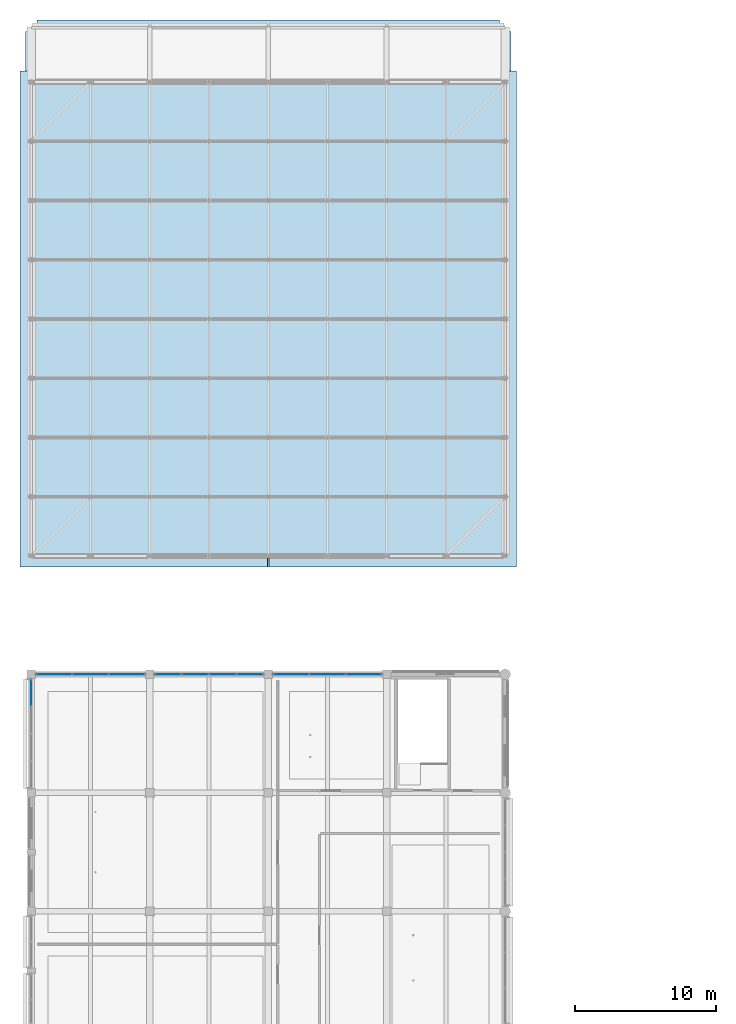
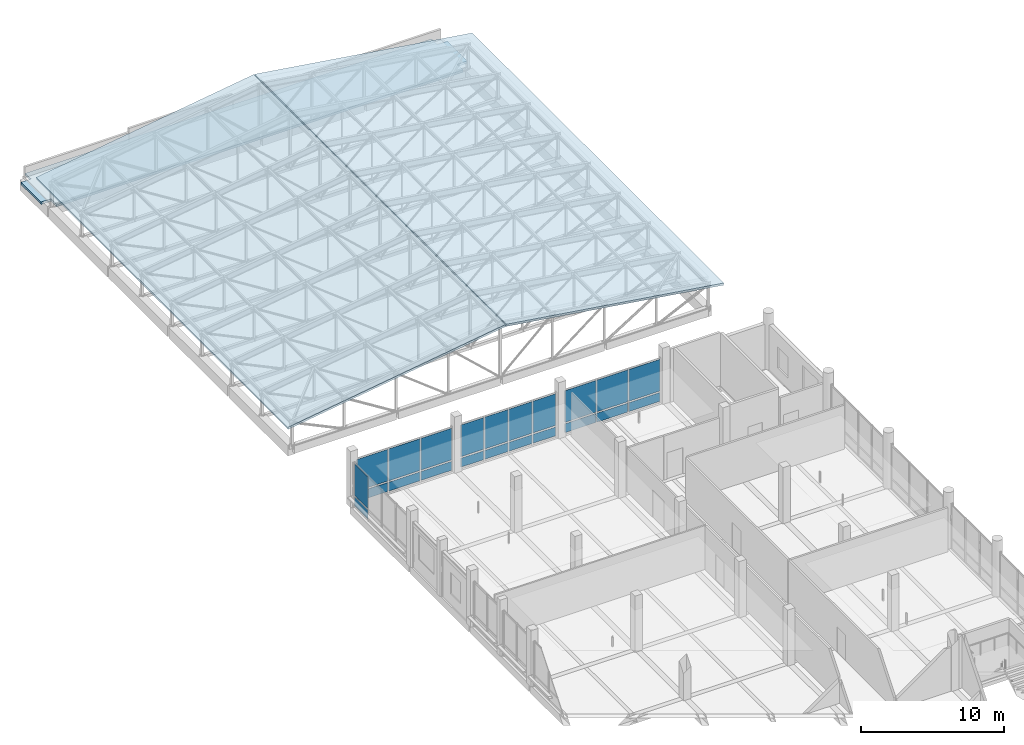
# One storey, part 46 of 122: 22 plates, 3 slabs, 4 elements without a shape of their own.
"""IFC4 building model written with IfcOpenShell, lengths in metres."""

from ifc_helpers import new_model, si_unit, direction, frame, origin, origin_2d, place, context, subcontext, project, spatial, polyline, rectangle, outline, extrude, material, layer, layer_set, type_object, element, aggregate, save


model = new_model("IFC4")

# Units and contexts
model_context = context("Model", 3, precision=1e-05, world=origin(), true_north=direction((0.0, 1.0)))
body_context = subcontext(model_context, "Body", "Model", "MODEL_VIEW")
ifc_project = project(units=[si_unit("LENGTHUNIT", "METRE"), si_unit("AREAUNIT", "SQUARE_METRE"), si_unit("VOLUMEUNIT", "CUBIC_METRE"), si_unit("PLANEANGLEUNIT", "RADIAN"), si_unit("MASSUNIT", "GRAM", prefix="KILO")], contexts=[model_context])

# Site, building, storey
site_placement = place(None, origin())
site = spatial("IfcSite", under=ifc_project, at=site_placement, CompositionType="ELEMENT")
building_placement = place(site_placement, origin())
building = spatial("IfcBuilding", under=site, at=building_placement, Name="Telukmera Botanical Conservatory", CompositionType="ELEMENT")
storey_placement = place(building_placement, frame((0.0, 0.0, 10.199951171875)))
storey = spatial("IfcBuildingStorey", under=building, at=storey_placement, Name="L02", CompositionType="ELEMENT", Elevation=10.199951171875)

# Slabs
ifc_material_1 = material(Name="Concrete C40/50", Category="concrete")
ifc_layer_1 = layer(ifc_material_1, 0.179931640625)
ifc_layer_set_1 = layer_set([ifc_layer_1], Name="Concrete C40/50")
slab_type_1 = type_object("IfcSlabType", Name="Slab_RS18", PredefinedType="ROOF", material=ifc_layer_set_1)
slab_1_placement = place(storey_placement, frame((7.60009765625, 82.39990234375, 2.260498046875), z_axis=(-0.147805870056, 0.0, 0.989016392572), x_axis=(0.989016392572, 0.0, 0.147805870056)))
element("IfcSlab", 1, at=slab_1_placement, inside=storey, type_object=slab_type_1, Name="Auditorium West Pitched Roof Slab (8.5 deg)", PredefinedType="ROOF", context=body_context, shape_type="SweptSolid", body=[
    extrude(outline(polyline([(0.0, 0.0), (17.754826497315477, 0.0), (17.754826497315477, 35.2001953125), (0.0, 35.2001953125), (0.0, 0.0)])), origin(), (0.0, 0.0, -1.0), 0.179931640625),
])
slab_2_placement = place(storey_placement, frame((25.239990234375, 82.39990234375, 4.884765625), z_axis=(0.147803859978, 0.0, 0.989016692971), x_axis=(0.989016692971, 0.0, -0.147803859978)))
element("IfcSlab", 2, at=slab_2_placement, inside=storey, type_object=slab_type_1, Name="Auditorium East Pitched Roof Slab (8.5 deg)", PredefinedType="ROOF", context=body_context, shape_type="SweptSolid", body=[
    extrude(outline(polyline([(0.0, 0.0), (17.755067956432363, 0.0), (17.755067956432363, 35.2001953125), (0.0, 35.2001953125), (0.0, 0.0)])), origin(), (0.0, 0.0, -1.0), 0.179931640625),
])
ifc_layer_2 = layer(ifc_material_1, 0.199951171875)
ifc_layer_set_2 = layer_set([ifc_layer_2], Name="Concrete C40/50")
slab_type_2 = type_object("IfcSlabType", Name="Slab_RS20", PredefinedType="ROOF", material=ifc_layer_set_2)
slab_3_placement = place(storey_placement, frame((0.0, 0.0, -0.199951171875)))
element("IfcSlab", 3, at=slab_3_placement, inside=storey, type_object=slab_type_2, Name="Auditorium North Portico Flat Monsoon Roof Slab", PredefinedType="ROOF", context=body_context, shape_type="SweptSolid", body=[
    extrude(outline(polyline([(8.800048828125, 116.800048828125), (41.60009765625, 116.800048828125), (41.60009765625, 117.60009765625), (42.39990234375, 117.60009765625), (42.39990234375, 120.39990234375), (41.60009765625, 120.39990234375), (41.60009765625, 121.199951171875), (8.800048828125, 121.199951171875), (8.800048828125, 120.39990234375), (8.0, 120.39990234375), (8.0, 117.60009765625), (8.800048828125, 117.60009765625), (8.800048828125, 116.800048828125)])), origin(), (0.0, 0.0, 1.0), 0.199951171875),
])

# Curtain wall, plates
ifc_material_2 = material(Name="Anodised aluminium 6063-T6", Category="aluminium")
ifc_layer_3 = layer(ifc_material_2, 0.179931640625)
ifc_layer_set_3 = layer_set([ifc_layer_3], Name="Anodised aluminium 6063-T6")
curtain_wall_type_1 = type_object("IfcCurtainWallType", Name="Visitor Gallery Second Floor Curtain Wall 2400 Mod", PredefinedType="USERDEFINED", material=ifc_layer_set_3)
curtain_wall_1_placement = place(storey_placement, origin())
curtain_wall_1 = element("IfcCurtainWall", 4, at=curtain_wall_1_placement, inside=storey, type_object=curtain_wall_type_1, Name="Unitised Curtain Wall CW09 V3:L02:N1", ObjectType="UNITISED CURTAIN WALL", PredefinedType="USERDEFINED")
ifc_material_3 = material(Name="Spectrally selective low-E double glazing", Category="glass")
ifc_layer_4 = layer(ifc_material_3, 0.0380859375)
ifc_layer_set_4 = layer_set([ifc_layer_4], Name="Spectrally selective low-E double glazing")
plate_type_1 = type_object("IfcPlateType", Name="Solar Control Fritted Spandrel Glazing Panel 38", PredefinedType="CURTAIN_PANEL", material=ifc_layer_set_4)
plate_1_placement = place(storey_placement, frame((10.017578125, 74.800048828125, 0.130126953125), z_axis=(0.0, 0.0, 1.0), x_axis=(1.0, 0.0, 0.0)))
plate_1 = element("IfcPlate", 5, at=plate_1_placement, type_object=plate_type_1, Name="CW09 panel 1.1", PredefinedType="CURTAIN_PANEL", context=body_context, shape_type="SweptSolid", body=[
    extrude(rectangle(XDim=2.501220703125, YDim=0.0380859375, at=origin_2d()), origin(), (0.0, 0.0, 1.0), 0.7548828125),
])
plate_2_placement = place(storey_placement, frame((10.017578125, 74.800048828125, 1.014892578125), z_axis=(0.0, 0.0, 1.0), x_axis=(1.0, 0.0, 0.0)))
plate_2 = element("IfcPlate", 6, at=plate_2_placement, type_object=plate_type_1, Name="CW09 panel 1.2", PredefinedType="CURTAIN_PANEL", context=body_context, shape_type="SweptSolid", body=[
    extrude(rectangle(XDim=2.501220703125, YDim=0.0380859375, at=origin_2d()), origin(), (0.0, 0.0, 1.0), 2.705078125),
])
plate_3_placement = place(storey_placement, frame((12.60009765625, 74.800048828125, 0.130126953125), z_axis=(0.0, 0.0, 1.0), x_axis=(1.0, 0.0, 0.0)))
plate_3 = element("IfcPlate", 7, at=plate_3_placement, type_object=plate_type_1, Name="CW09 panel 2.1", PredefinedType="CURTAIN_PANEL", context=body_context, shape_type="SweptSolid", body=[
    extrude(rectangle(XDim=2.53369140625, YDim=0.0380859375, at=origin_2d()), origin(), (0.0, 0.0, 1.0), 0.7548828125),
])
plate_4_placement = place(storey_placement, frame((12.60009765625, 74.800048828125, 1.014892578125), z_axis=(0.0, 0.0, 1.0), x_axis=(1.0, 0.0, 0.0)))
plate_4 = element("IfcPlate", 8, at=plate_4_placement, type_object=plate_type_1, Name="CW09 panel 2.2", PredefinedType="CURTAIN_PANEL", context=body_context, shape_type="SweptSolid", body=[
    extrude(rectangle(XDim=2.53369140625, YDim=0.0380859375, at=origin_2d()), origin(), (0.0, 0.0, 1.0), 2.705078125),
])
plate_5_placement = place(storey_placement, frame((15.182373046875, 74.800048828125, 0.130126953125), z_axis=(0.0, 0.0, 1.0), x_axis=(1.0, 0.0, 0.0)))
plate_5 = element("IfcPlate", 9, at=plate_5_placement, type_object=plate_type_1, Name="CW09 panel 3.1", PredefinedType="CURTAIN_PANEL", context=body_context, shape_type="SweptSolid", body=[
    extrude(rectangle(XDim=2.501220703125, YDim=0.0380859375, at=origin_2d()), origin(), (0.0, 0.0, 1.0), 0.7548828125),
])
plate_6_placement = place(storey_placement, frame((15.182373046875, 74.800048828125, 1.014892578125), z_axis=(0.0, 0.0, 1.0), x_axis=(1.0, 0.0, 0.0)))
plate_6 = element("IfcPlate", 10, at=plate_6_placement, type_object=plate_type_1, Name="CW09 panel 3.2", PredefinedType="CURTAIN_PANEL", context=body_context, shape_type="SweptSolid", body=[
    extrude(rectangle(XDim=2.501220703125, YDim=0.0380859375, at=origin_2d()), origin(), (0.0, 0.0, 1.0), 2.705078125),
])
aggregate(curtain_wall_1, [plate_1, plate_2, plate_3, plate_4, plate_5, plate_6])

curtain_wall_2_placement = place(storey_placement, origin())
curtain_wall_2 = element("IfcCurtainWall", 11, at=curtain_wall_2_placement, inside=storey, type_object=curtain_wall_type_1, Name="Unitised Curtain Wall CW09 V3:L02:N3", ObjectType="UNITISED CURTAIN WALL", PredefinedType="USERDEFINED")
plate_7_placement = place(storey_placement, frame((26.817626953125, 74.800048828125, 0.130126953125), z_axis=(0.0, 0.0, 1.0), x_axis=(1.0, 0.0, 0.0)))
plate_7 = element("IfcPlate", 12, at=plate_7_placement, type_object=plate_type_1, Name="CW09 panel 1.1", PredefinedType="CURTAIN_PANEL", context=body_context, shape_type="SweptSolid", body=[
    extrude(rectangle(XDim=2.501220703125, YDim=0.0380859375, at=origin_2d()), origin(), (0.0, 0.0, 1.0), 0.7548828125),
])
plate_8_placement = place(storey_placement, frame((26.817626953125, 74.800048828125, 1.014892578125), z_axis=(0.0, 0.0, 1.0), x_axis=(1.0, 0.0, 0.0)))
plate_8 = element("IfcPlate", 13, at=plate_8_placement, type_object=plate_type_1, Name="CW09 panel 1.2", PredefinedType="CURTAIN_PANEL", context=body_context, shape_type="SweptSolid", body=[
    extrude(rectangle(XDim=2.501220703125, YDim=0.0380859375, at=origin_2d()), origin(), (0.0, 0.0, 1.0), 2.705078125),
])
plate_9_placement = place(storey_placement, frame((29.39990234375, 74.800048828125, 0.130126953125), z_axis=(0.0, 0.0, 1.0), x_axis=(1.0, 0.0, 0.0)))
plate_9 = element("IfcPlate", 14, at=plate_9_placement, type_object=plate_type_1, Name="CW09 panel 2.1", PredefinedType="CURTAIN_PANEL", context=body_context, shape_type="SweptSolid", body=[
    extrude(rectangle(XDim=2.53369140625, YDim=0.0380859375, at=origin_2d()), origin(), (0.0, 0.0, 1.0), 0.7548828125),
])
plate_10_placement = place(storey_placement, frame((29.39990234375, 74.800048828125, 1.014892578125), z_axis=(0.0, 0.0, 1.0), x_axis=(1.0, 0.0, 0.0)))
plate_10 = element("IfcPlate", 15, at=plate_10_placement, type_object=plate_type_1, Name="CW09 panel 2.2", PredefinedType="CURTAIN_PANEL", context=body_context, shape_type="SweptSolid", body=[
    extrude(rectangle(XDim=2.53369140625, YDim=0.0380859375, at=origin_2d()), origin(), (0.0, 0.0, 1.0), 2.705078125),
])
plate_11_placement = place(storey_placement, frame((31.982421875, 74.800048828125, 0.130126953125), z_axis=(0.0, 0.0, 1.0), x_axis=(1.0, 0.0, 0.0)))
plate_11 = element("IfcPlate", 16, at=plate_11_placement, type_object=plate_type_1, Name="CW09 panel 3.1", PredefinedType="CURTAIN_PANEL", context=body_context, shape_type="SweptSolid", body=[
    extrude(rectangle(XDim=2.501220703125, YDim=0.0380859375, at=origin_2d()), origin(), (0.0, 0.0, 1.0), 0.7548828125),
])
plate_12_placement = place(storey_placement, frame((31.982421875, 74.800048828125, 1.014892578125), z_axis=(0.0, 0.0, 1.0), x_axis=(1.0, 0.0, 0.0)))
plate_12 = element("IfcPlate", 17, at=plate_12_placement, type_object=plate_type_1, Name="CW09 panel 3.2", PredefinedType="CURTAIN_PANEL", context=body_context, shape_type="SweptSolid", body=[
    extrude(rectangle(XDim=2.501220703125, YDim=0.0380859375, at=origin_2d()), origin(), (0.0, 0.0, 1.0), 2.705078125),
])
aggregate(curtain_wall_2, [plate_7, plate_8, plate_9, plate_10, plate_11, plate_12])

ifc_layer_5 = layer(ifc_material_2, 0.179931640625)
ifc_layer_set_5 = layer_set([ifc_layer_5], Name="Anodised aluminium 6063-T6")
curtain_wall_type_2 = type_object("IfcCurtainWallType", Name="Visitor Gallery First Floor Curtain Wall 1800 Mod", PredefinedType="USERDEFINED", material=ifc_layer_set_5)
curtain_wall_3_placement = place(storey_placement, origin())
curtain_wall_3 = element("IfcCurtainWall", 18, at=curtain_wall_3_placement, inside=storey, type_object=curtain_wall_type_2, Name="Unitised Curtain Wall CW08 V3:L02:N2", ObjectType="UNITISED CURTAIN WALL", PredefinedType="USERDEFINED")
ifc_layer_6 = layer(ifc_material_3, 0.028076171875)
ifc_layer_set_6 = layer_set([ifc_layer_6], Name="Spectrally selective low-E double glazing")
plate_type_2 = type_object("IfcPlateType", Name="Spectrally Selective Vision Double Glazing Panel 28", PredefinedType="CURTAIN_PANEL", material=ifc_layer_set_6)
plate_13_placement = place(storey_placement, frame((18.0927734375, 74.800048828125, 0.130126953125), z_axis=(0.0, 0.0, 1.0), x_axis=(1.0, 0.0, 0.0)))
plate_13 = element("IfcPlate", 19, at=plate_13_placement, type_object=plate_type_2, Name="CW08 panel 1.1", PredefinedType="CURTAIN_PANEL", context=body_context, shape_type="SweptSolid", body=[
    extrude(rectangle(XDim=1.8515625, YDim=0.028076171875, at=origin_2d()), origin(), (0.0, 0.0, 1.0), 0.7548828125),
])
plate_14_placement = place(storey_placement, frame((18.0927734375, 74.800048828125, 1.014892578125), z_axis=(0.0, 0.0, 1.0), x_axis=(1.0, 0.0, 0.0)))
plate_14 = element("IfcPlate", 20, at=plate_14_placement, type_object=plate_type_2, Name="CW08 panel 1.2", PredefinedType="CURTAIN_PANEL", context=body_context, shape_type="SweptSolid", body=[
    extrude(rectangle(XDim=1.8515625, YDim=0.028076171875, at=origin_2d()), origin(), (0.0, 0.0, 1.0), 2.705078125),
])
plate_15_placement = place(storey_placement, frame((20.025390625, 74.800048828125, 0.130126953125), z_axis=(0.0, 0.0, 1.0), x_axis=(1.0, 0.0, 0.0)))
plate_15 = element("IfcPlate", 21, at=plate_15_placement, type_object=plate_type_2, Name="CW08 panel 2.1", PredefinedType="CURTAIN_PANEL", context=body_context, shape_type="SweptSolid", body=[
    extrude(rectangle(XDim=1.884033203125, YDim=0.028076171875, at=origin_2d()), origin(), (0.0, 0.0, 1.0), 0.7548828125),
])
plate_16_placement = place(storey_placement, frame((20.025390625, 74.800048828125, 1.014892578125), z_axis=(0.0, 0.0, 1.0), x_axis=(1.0, 0.0, 0.0)))
plate_16 = element("IfcPlate", 22, at=plate_16_placement, type_object=plate_type_2, Name="CW08 panel 2.2", PredefinedType="CURTAIN_PANEL", context=body_context, shape_type="SweptSolid", body=[
    extrude(rectangle(XDim=1.884033203125, YDim=0.028076171875, at=origin_2d()), origin(), (0.0, 0.0, 1.0), 2.705078125),
])
plate_17_placement = place(storey_placement, frame((21.974609375, 74.800048828125, 0.130126953125), z_axis=(0.0, 0.0, 1.0), x_axis=(1.0, 0.0, 0.0)))
plate_17 = element("IfcPlate", 23, at=plate_17_placement, type_object=plate_type_2, Name="CW08 panel 3.1", PredefinedType="CURTAIN_PANEL", context=body_context, shape_type="SweptSolid", body=[
    extrude(rectangle(XDim=1.884033203125, YDim=0.028076171875, at=origin_2d()), origin(), (0.0, 0.0, 1.0), 0.7548828125),
])
plate_18_placement = place(storey_placement, frame((21.974609375, 74.800048828125, 1.014892578125), z_axis=(0.0, 0.0, 1.0), x_axis=(1.0, 0.0, 0.0)))
plate_18 = element("IfcPlate", 24, at=plate_18_placement, type_object=plate_type_2, Name="CW08 panel 3.2", PredefinedType="CURTAIN_PANEL", context=body_context, shape_type="SweptSolid", body=[
    extrude(rectangle(XDim=1.884033203125, YDim=0.028076171875, at=origin_2d()), origin(), (0.0, 0.0, 1.0), 2.705078125),
])
plate_19_placement = place(storey_placement, frame((23.9072265625, 74.800048828125, 0.130126953125), z_axis=(0.0, 0.0, 1.0), x_axis=(1.0, 0.0, 0.0)))
plate_19 = element("IfcPlate", 25, at=plate_19_placement, type_object=plate_type_2, Name="CW08 panel 4.1", PredefinedType="CURTAIN_PANEL", context=body_context, shape_type="SweptSolid", body=[
    extrude(rectangle(XDim=1.8515625, YDim=0.028076171875, at=origin_2d()), origin(), (0.0, 0.0, 1.0), 0.7548828125),
])
plate_20_placement = place(storey_placement, frame((23.9072265625, 74.800048828125, 1.014892578125), z_axis=(0.0, 0.0, 1.0), x_axis=(1.0, 0.0, 0.0)))
plate_20 = element("IfcPlate", 26, at=plate_20_placement, type_object=plate_type_2, Name="CW08 panel 4.2", PredefinedType="CURTAIN_PANEL", context=body_context, shape_type="SweptSolid", body=[
    extrude(rectangle(XDim=1.8515625, YDim=0.028076171875, at=origin_2d()), origin(), (0.0, 0.0, 1.0), 2.705078125),
])
aggregate(curtain_wall_3, [plate_13, plate_14, plate_15, plate_16, plate_17, plate_18, plate_19, plate_20])

curtain_wall_4_placement = place(storey_placement, origin())
curtain_wall_4 = element("IfcCurtainWall", 27, at=curtain_wall_4_placement, inside=storey, type_object=curtain_wall_type_2, Name="Unitised Curtain Wall CW08 V3:L02:W7", ObjectType="UNITISED CURTAIN WALL", PredefinedType="USERDEFINED")
plate_21_placement = place(storey_placement, frame((8.39990234375, 73.50732421875, 0.130126953125), z_axis=(0.0, 0.0, 1.0), x_axis=(0.0, 1.0, 0.0)))
plate_21 = element("IfcPlate", 28, at=plate_21_placement, type_object=plate_type_2, Name="CW08 panel 4.1", PredefinedType="CURTAIN_PANEL", context=body_context, shape_type="SweptSolid", body=[
    extrude(rectangle(XDim=1.8515625, YDim=0.028076171875, at=origin_2d()), origin(), (0.0, 0.0, 1.0), 0.7548828125),
])
plate_22_placement = place(storey_placement, frame((8.39990234375, 73.50732421875, 1.014892578125), z_axis=(0.0, 0.0, 1.0), x_axis=(0.0, 1.0, 0.0)))
plate_22 = element("IfcPlate", 29, at=plate_22_placement, type_object=plate_type_2, Name="CW08 panel 4.2", PredefinedType="CURTAIN_PANEL", context=body_context, shape_type="SweptSolid", body=[
    extrude(rectangle(XDim=1.8515625, YDim=0.028076171875, at=origin_2d()), origin(), (0.0, 0.0, 1.0), 2.705078125),
])
aggregate(curtain_wall_4, [plate_21, plate_22])

save(model, "model.ifc")
